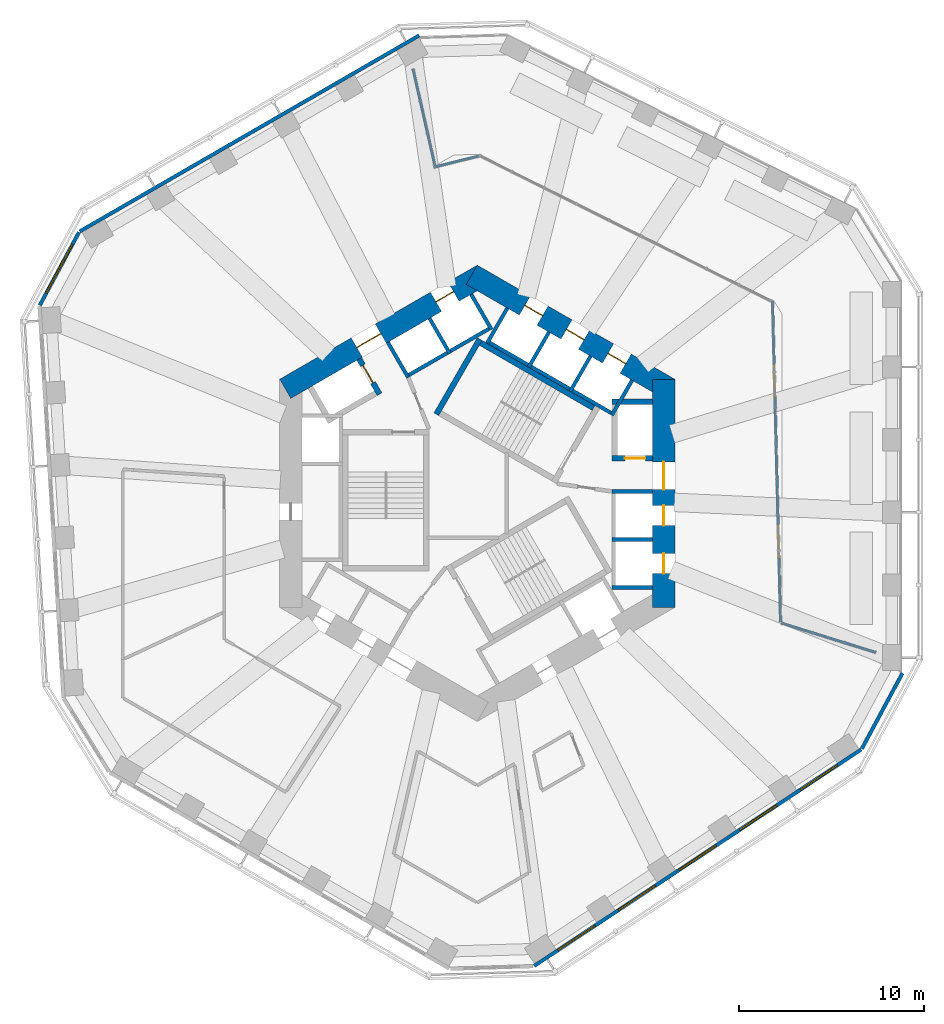
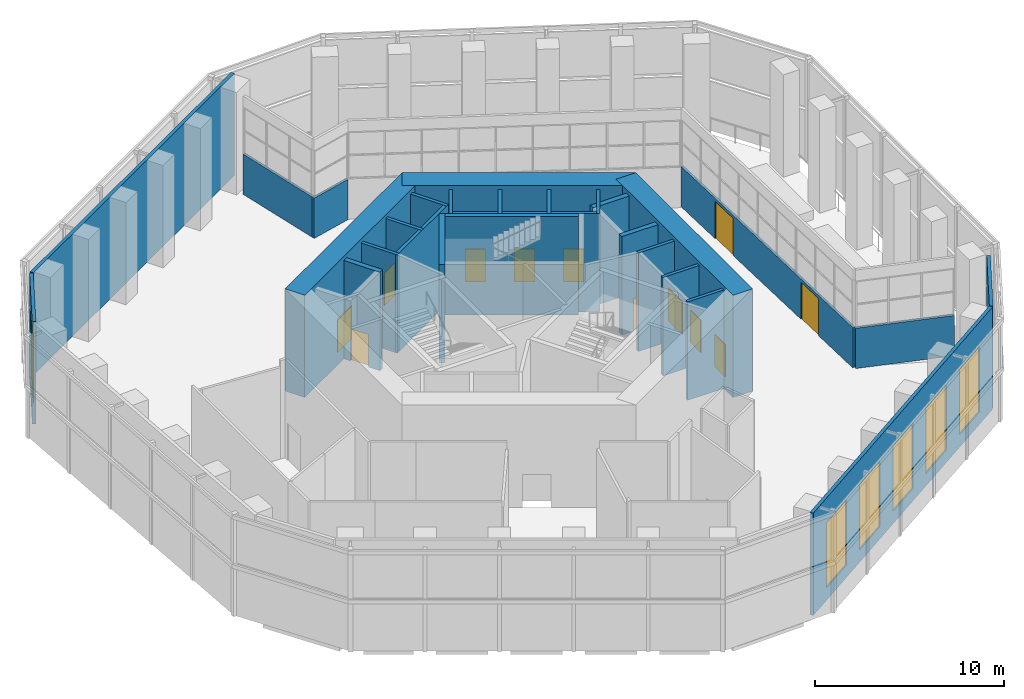
# One storey, part 10 of 17: 28 walls, 12 doors, 6 windows, 18 openings.
"""IFC4 building model written with IfcOpenShell, lengths in metres."""

from ifc_helpers import new_model, si_unit, direction, frame, frame_2d, origin, place, context, subcontext, project, spatial, rectangle, extrude, material, layer, layer_set, type_object, element, fill, save


model = new_model("IFC4")

# Units and contexts
model_context = context("Model", 3, precision=1e-05, world=origin(), true_north=direction((0.0, 1.0)))
body_context = subcontext(model_context, "Body", "Model", "MODEL_VIEW")
ifc_project = project(units=[si_unit("LENGTHUNIT", "METRE"), si_unit("AREAUNIT", "SQUARE_METRE"), si_unit("VOLUMEUNIT", "CUBIC_METRE"), si_unit("PLANEANGLEUNIT", "RADIAN"), si_unit("MASSUNIT", "GRAM", prefix="KILO")], contexts=[model_context])

# Site, building, storey
site_placement = place(None, origin())
site = spatial("IfcSite", under=ifc_project, at=site_placement, CompositionType="ELEMENT")
building_placement = place(site_placement, origin())
building = spatial("IfcBuilding", under=site, at=building_placement, Name="Vanh Sen Convention Tower", CompositionType="ELEMENT")
storey_placement = place(building_placement, frame((0.0, 0.0, 77.0)))
storey = spatial("IfcBuildingStorey", under=building, at=storey_placement, Name="L17", CompositionType="ELEMENT", Elevation=77.0)

# Wall, openings, doors
ifc_material_1 = material(Name="Concrete C80/95", Category="concrete")
ifc_layer_1 = layer(ifc_material_1, 1.199951171875)
ifc_layer_set_1 = layer_set([ifc_layer_1], Name="Concrete C80/95")
wall_type_1 = type_object("IfcWallType", Name="Core outer wall 1200 C80/95", PredefinedType="SHEAR", material=ifc_layer_set_1)
wall_1_placement = place(storey_placement, frame((10.10009765625, -6.177490234375, 0.0), z_axis=(0.0, 0.0, 1.0), x_axis=(0.0, 1.0, 0.0)))
wall_1 = element("IfcWall", 1, at=wall_1_placement, inside=storey, type_object=wall_type_1, Name="Core wall face E L17", PredefinedType="SHEAR", context=body_context, shape_type="SweptSolid", body=[
    extrude(rectangle(XDim=12.35498046875, YDim=1.199951171875, at=frame_2d((6.177490234375, 0.0))), origin(), (0.0, 0.0, 1.0), 6.60009765625),
])
opening_1_placement = place(wall_1_placement, frame((6.377685546875, 0.0, 0.0)))
opening_1 = element("IfcOpeningElement", 2, at=opening_1_placement, cuts=wall_1, Name="Opening D17001", PredefinedType="OPENING", context=body_context, shape_type="SweptSolid", body=[
    extrude(rectangle(XDim=1.5, YDim=2.10009765625, at=frame_2d((0.75, 1.050048828125))), frame((0.0, 0.60986328125, 0.0), z_axis=(0.0, -1.0, 0.0), x_axis=(1.0, 0.0, 0.0)), (0.0, 0.0, 1.0), 1.219970703125),
])
opening_2_placement = place(wall_1_placement, frame((1.82763671875, 0.0, 0.0)))
opening_2 = element("IfcOpeningElement", 3, at=opening_2_placement, cuts=wall_1, Name="Opening LD-LR1", PredefinedType="OPENING", context=body_context, shape_type="SweptSolid", body=[
    extrude(rectangle(XDim=1.10009765625, YDim=2.10009765625, at=frame_2d((0.550048828125, 1.050048828125))), frame((0.0, 0.60986328125, 0.0), z_axis=(0.0, -1.0, 0.0), x_axis=(1.0, 0.0, 0.0)), (0.0, 0.0, 1.0), 1.219970703125),
])
opening_3_placement = place(wall_1_placement, frame((4.427490234375, 0.0, 0.0)))
opening_3 = element("IfcOpeningElement", 4, at=opening_3_placement, cuts=wall_1, Name="Opening LD-LR2", PredefinedType="OPENING", context=body_context, shape_type="SweptSolid", body=[
    extrude(rectangle(XDim=1.10009765625, YDim=2.10009765625, at=frame_2d((0.550048828125, 1.050048828125))), frame((0.0, 0.60986328125, 0.0), z_axis=(0.0, -1.0, 0.0), x_axis=(1.0, 0.0, 0.0)), (0.0, 0.0, 1.0), 1.219970703125),
])
ifc_material_2 = material(Name="Stainless steel", Category="steel")
door_type_1 = type_object("IfcDoorType", Name="Lift landing door 1100", OperationType="DOUBLE_DOOR_SLIDING", PredefinedType="DOOR", material=ifc_material_2)
door_1_placement = place(opening_2_placement, origin())
door_1 = element("IfcDoor", 5, at=door_1_placement, inside=storey, type_object=door_type_1, Name="Lift LR1 landing door LD-LR1", OperationType="DOUBLE_DOOR_SLIDING", OverallHeight=2.10009765625, OverallWidth=1.10009765625, PredefinedType="DOOR", context=body_context, shape_type="SweptSolid", body=[
    extrude(rectangle(XDim=1.10009765625, YDim=2.10009765625, at=frame_2d((0.550048828125, 1.050048828125))), frame((0.0, 0.02490234375, 0.0), z_axis=(0.0, -1.0, 0.0), x_axis=(1.0, 0.0, 0.0)), (0.0, 0.0, 1.0), 0.050048828125),
])
fill(opening_2, door_1)
door_2_placement = place(opening_3_placement, origin())
door_2 = element("IfcDoor", 6, at=door_2_placement, inside=storey, type_object=door_type_1, Name="Lift LR2 landing door LD-LR2", OperationType="DOUBLE_DOOR_SLIDING", OverallHeight=2.10009765625, OverallWidth=1.10009765625, PredefinedType="DOOR", context=body_context, shape_type="SweptSolid", body=[
    extrude(rectangle(XDim=1.10009765625, YDim=2.10009765625, at=frame_2d((0.550048828125, 1.050048828125))), frame((0.0, 0.02490234375, 0.0), z_axis=(0.0, -1.0, 0.0), x_axis=(1.0, 0.0, 0.0)), (0.0, 0.0, 1.0), 0.050048828125),
])
fill(opening_3, door_2)
ifc_material_3 = material(Name="Steel S355", Category="steel")
door_type_2 = type_object("IfcDoorType", Name="Stair lobby door 1500", OperationType="DOUBLE_DOOR_SINGLE_SWING", PredefinedType="DOOR", material=ifc_material_3)
door_3_placement = place(opening_1_placement, origin())
door_3 = element("IfcDoor", 7, at=door_3_placement, inside=storey, type_object=door_type_2, Name="Stair lobby door D17001", OperationType="DOUBLE_DOOR_SINGLE_SWING", OverallHeight=2.10009765625, OverallWidth=1.5, PredefinedType="DOOR", context=body_context, shape_type="SweptSolid", body=[
    extrude(rectangle(XDim=1.5, YDim=2.10009765625, at=frame_2d((0.75, 1.050048828125))), frame((0.0, 0.02490234375, 0.0), z_axis=(0.0, -1.0, 0.0), x_axis=(1.0, 0.0, 0.0)), (0.0, 0.0, 1.0), 0.050048828125),
])
fill(opening_1, door_3)

wall_2_placement = place(storey_placement, frame((10.39990234375, 5.657958984375, 0.0), z_axis=(0.0, 0.0, 1.0), x_axis=(-0.866021384402, 0.500006961711, 0.0)))
wall_2 = element("IfcWall", 8, at=wall_2_placement, inside=storey, type_object=wall_type_1, Name="Core wall face NE L17", PredefinedType="SHEAR", context=body_context, shape_type="SweptSolid", body=[
    extrude(rectangle(XDim=12.355224609375, YDim=1.199951171875, at=frame_2d((6.177734375, 0.0))), origin(), (0.0, 0.0, 1.0), 6.60009765625),
])
opening_4_placement = place(wall_2_placement, frame((2.727783203125, 0.0, 0.0)))
opening_4 = element("IfcOpeningElement", 9, at=opening_4_placement, cuts=wall_2, Name="Opening LD-LR3", PredefinedType="OPENING", context=body_context, shape_type="SweptSolid", body=[
    extrude(rectangle(XDim=1.10009765625, YDim=2.10009765625, at=frame_2d((0.550048828125, 1.050048828125))), frame((0.0, 0.60986328125, 0.0), z_axis=(0.0, -1.0, 0.0), x_axis=(1.0, 0.0, 0.0)), (0.0, 0.0, 1.0), 1.219970703125),
])
opening_5_placement = place(wall_2_placement, frame((5.32763671875, 0.0, 0.0)))
opening_5 = element("IfcOpeningElement", 10, at=opening_5_placement, cuts=wall_2, Name="Opening LD-LR4", PredefinedType="OPENING", context=body_context, shape_type="SweptSolid", body=[
    extrude(rectangle(XDim=1.10009765625, YDim=2.10009765625, at=frame_2d((0.550048828125, 1.050048828125))), frame((0.0, 0.60986328125, 0.0), z_axis=(0.0, -1.0, 0.0), x_axis=(1.0, 0.0, 0.0)), (0.0, 0.0, 1.0), 1.219970703125),
])
opening_6_placement = place(wall_2_placement, frame((7.927734375, 0.0, 0.0)))
opening_6 = element("IfcOpeningElement", 11, at=opening_6_placement, cuts=wall_2, Name="Opening LD-LR5", PredefinedType="OPENING", context=body_context, shape_type="SweptSolid", body=[
    extrude(rectangle(XDim=1.10009765625, YDim=2.10009765625, at=frame_2d((0.550048828125, 1.050048828125))), frame((0.0, 0.60986328125, 0.0), z_axis=(0.0, -1.0, 0.0), x_axis=(1.0, 0.0, 0.0)), (0.0, 0.0, 1.0), 1.219970703125),
])
door_4_placement = place(opening_4_placement, origin())
door_4 = element("IfcDoor", 12, at=door_4_placement, inside=storey, type_object=door_type_1, Name="Lift LR3 landing door LD-LR3", OperationType="DOUBLE_DOOR_SLIDING", OverallHeight=2.10009765625, OverallWidth=1.10009765625, PredefinedType="DOOR", context=body_context, shape_type="SweptSolid", body=[
    extrude(rectangle(XDim=1.10009765625, YDim=2.10009765625, at=frame_2d((0.550048828125, 1.050048828125))), frame((0.0, 0.02490234375, 0.0), z_axis=(0.0, -1.0, 0.0), x_axis=(1.0, 0.0, 0.0)), (0.0, 0.0, 1.0), 0.050048828125),
])
fill(opening_4, door_4)
door_5_placement = place(opening_5_placement, origin())
door_5 = element("IfcDoor", 13, at=door_5_placement, inside=storey, type_object=door_type_1, Name="Lift LR4 landing door LD-LR4", OperationType="DOUBLE_DOOR_SLIDING", OverallHeight=2.10009765625, OverallWidth=1.10009765625, PredefinedType="DOOR", context=body_context, shape_type="SweptSolid", body=[
    extrude(rectangle(XDim=1.10009765625, YDim=2.10009765625, at=frame_2d((0.550048828125, 1.050048828125))), frame((0.0, 0.02490234375, 0.0), z_axis=(0.0, -1.0, 0.0), x_axis=(1.0, 0.0, 0.0)), (0.0, 0.0, 1.0), 0.050048828125),
])
fill(opening_5, door_5)
door_6_placement = place(opening_6_placement, origin())
door_6 = element("IfcDoor", 14, at=door_6_placement, inside=storey, type_object=door_type_1, Name="Lift LR5 landing door LD-LR5", OperationType="DOUBLE_DOOR_SLIDING", OverallHeight=2.10009765625, OverallWidth=1.10009765625, PredefinedType="DOOR", context=body_context, shape_type="SweptSolid", body=[
    extrude(rectangle(XDim=1.10009765625, YDim=2.10009765625, at=frame_2d((0.550048828125, 1.050048828125))), frame((0.0, 0.02490234375, 0.0), z_axis=(0.0, -1.0, 0.0), x_axis=(1.0, 0.0, 0.0)), (0.0, 0.0, 1.0), 0.050048828125),
])
fill(opening_6, door_6)

wall_3_placement = place(storey_placement, frame((0.300048828125, 11.835693359375, 0.0), z_axis=(0.0, 0.0, 1.0), x_axis=(-0.866021384402, -0.500006961711, 0.0)))
wall_3 = element("IfcWall", 15, at=wall_3_placement, inside=storey, type_object=wall_type_1, Name="Core wall face NW L17", PredefinedType="SHEAR", context=body_context, shape_type="SweptSolid", body=[
    extrude(rectangle(XDim=12.355224609375, YDim=1.199951171875, at=frame_2d((6.177734375, 0.0))), origin(), (0.0, 0.0, 1.0), 6.60009765625),
])
opening_7_placement = place(wall_3_placement, frame((6.377685546875, 0.0, 0.0)))
opening_7 = element("IfcOpeningElement", 16, at=opening_7_placement, cuts=wall_3, Name="Opening D17002", PredefinedType="OPENING", context=body_context, shape_type="SweptSolid", body=[
    extrude(rectangle(XDim=1.5, YDim=2.10009765625, at=frame_2d((0.75, 1.050048828125))), frame((0.0, 0.60986328125, 0.0), z_axis=(0.0, -1.0, 0.0), x_axis=(1.0, 0.0, 0.0)), (0.0, 0.0, 1.0), 1.219970703125),
])
opening_8_placement = place(wall_3_placement, frame((1.82763671875, 0.0, 0.0)))
opening_8 = element("IfcOpeningElement", 17, at=opening_8_placement, cuts=wall_3, Name="Opening LD-LR6", PredefinedType="OPENING", context=body_context, shape_type="SweptSolid", body=[
    extrude(rectangle(XDim=1.10009765625, YDim=2.10009765625, at=frame_2d((0.550048828125, 1.050048828125))), frame((0.0, 0.60986328125, 0.0), z_axis=(0.0, -1.0, 0.0), x_axis=(1.0, 0.0, 0.0)), (0.0, 0.0, 1.0), 1.219970703125),
])
door_7_placement = place(opening_8_placement, origin())
door_7 = element("IfcDoor", 18, at=door_7_placement, inside=storey, type_object=door_type_1, Name="Lift LR6 landing door LD-LR6", OperationType="DOUBLE_DOOR_SLIDING", OverallHeight=2.10009765625, OverallWidth=1.10009765625, PredefinedType="DOOR", context=body_context, shape_type="SweptSolid", body=[
    extrude(rectangle(XDim=1.10009765625, YDim=2.10009765625, at=frame_2d((0.550048828125, 1.050048828125))), frame((0.0, 0.02490234375, 0.0), z_axis=(0.0, -1.0, 0.0), x_axis=(1.0, 0.0, 0.0)), (0.0, 0.0, 1.0), 0.050048828125),
])
fill(opening_8, door_7)
door_8_placement = place(opening_7_placement, origin())
door_8 = element("IfcDoor", 19, at=door_8_placement, inside=storey, type_object=door_type_2, Name="Stair lobby door D17002", OperationType="DOUBLE_DOOR_SINGLE_SWING", OverallHeight=2.10009765625, OverallWidth=1.5, PredefinedType="DOOR", context=body_context, shape_type="SweptSolid", body=[
    extrude(rectangle(XDim=1.5, YDim=2.10009765625, at=frame_2d((0.75, 1.050048828125))), frame((0.0, 0.02490234375, 0.0), z_axis=(0.0, -1.0, 0.0), x_axis=(1.0, 0.0, 0.0)), (0.0, 0.0, 1.0), 0.050048828125),
])
fill(opening_7, door_8)

# Wall
ifc_material_4 = material(Name="Insulated lightweight infill wall")
ifc_layer_2 = layer(ifc_material_4, 0.199951171875)
ifc_layer_set_2 = layer_set([ifc_layer_2], Name="Insulated lightweight infill wall")
wall_type_2 = type_object("IfcWallType", Name="External wall 200", PredefinedType="STANDARD", material=ifc_layer_set_2)
wall_4_placement = place(storey_placement, frame((-3.14404296875, 24.800537109375, 0.0), z_axis=(0.0, 0.0, 1.0), x_axis=(-0.866028031259, -0.499995449053, 0.0)))
element("IfcWall", 20, at=wall_4_placement, inside=storey, type_object=wall_type_2, Name="External wall NW-1 L17", PredefinedType="STANDARD", context=body_context, shape_type="SweptSolid", body=[
    extrude(rectangle(XDim=21.237060546875, YDim=0.199951171875, at=frame_2d((10.61865234375, 0.0))), origin(), (0.0, 0.0, 1.0), 6.60009765625),
])

# Wall, opening, window
wall_5_placement = place(storey_placement, frame((-21.573974609375, 14.142822265625, 0.0), z_axis=(0.0, 0.0, 1.0), x_axis=(-0.473292949472, -0.880905093628, 0.0)))
wall_5 = element("IfcWall", 21, at=wall_5_placement, inside=storey, type_object=wall_type_2, Name="External wall CH3 L17", PredefinedType="STANDARD", context=body_context, shape_type="SweptSolid", body=[
    extrude(rectangle(XDim=4.493896484375, YDim=0.199951171875, at=frame_2d((2.2470703125, 0.0))), origin(), (0.0, 0.0, 1.0), 6.60009765625),
])
opening_9_placement = place(wall_5_placement, frame((0.746826171875, 0.0, 0.800048828125)))
opening_9 = element("IfcOpeningElement", 22, at=opening_9_placement, cuts=wall_5, Name="Opening WS1-CH31", PredefinedType="OPENING", context=body_context, shape_type="SweptSolid", body=[
    extrude(rectangle(XDim=3.0, YDim=4.199951171875, at=frame_2d((1.5, 2.10009765625))), frame((0.0, 0.10986328125, 0.0), z_axis=(0.0, -1.0, 0.0), x_axis=(1.0, 0.0, 0.0)), (0.0, 0.0, 1.0), 0.219970703125),
])
ifc_material_5 = material(Name="Aluminium frame with clear low-emissivity glass", Category="aluminium")
window_type_1 = type_object("IfcWindowType", Name="Sky garden window 3000 x 4200", PartitioningType="SINGLE_PANEL", PredefinedType="WINDOW", material=ifc_material_5)
window_1_placement = place(opening_9_placement, origin())
window_1 = element("IfcWindow", 23, at=window_1_placement, inside=storey, type_object=window_type_1, Name="Window WS1-CH31", OverallHeight=4.199951171875, OverallWidth=3.0, PartitioningType="SINGLE_PANEL", PredefinedType="WINDOW", context=body_context, shape_type="SweptSolid", body=[
    extrude(rectangle(XDim=3.0, YDim=4.199951171875, at=frame_2d((1.5, 2.10009765625))), frame((0.0, 0.030029296875, 0.0), z_axis=(0.0, -1.0, 0.0), x_axis=(1.0, 0.0, 0.0)), (0.0, 0.0, 1.0), 0.06005859375),
])
fill(opening_9, window_1)

# Wall, openings, windows
wall_6_placement = place(storey_placement, frame((3.0830078125, -25.60107421875, 0.0), z_axis=(0.0, 0.0, 1.0), x_axis=(0.833884295743, 0.551939291329, 0.0)))
wall_6 = element("IfcWall", 24, at=wall_6_placement, inside=storey, type_object=wall_type_2, Name="External wall SE L17", PredefinedType="STANDARD", context=body_context, shape_type="SweptSolid", body=[
    extrude(rectangle(XDim=21.24609375, YDim=0.199951171875, at=frame_2d((10.623046875, 0.0))), origin(), (0.0, 0.0, 1.0), 6.60009765625),
])
opening_10_placement = place(wall_6_placement, frame((1.552978515625, 0.0, 0.800048828125)))
opening_10 = element("IfcOpeningElement", 25, at=opening_10_placement, cuts=wall_6, Name="Opening WS2-SE1", PredefinedType="OPENING", context=body_context, shape_type="SweptSolid", body=[
    extrude(rectangle(XDim=2.39990234375, YDim=4.199951171875, at=frame_2d((1.199951171875, 2.10009765625))), frame((0.0, 0.10986328125, 0.0), z_axis=(0.0, -1.0, 0.0), x_axis=(1.0, 0.0, 0.0)), (0.0, 0.0, 1.0), 0.219970703125),
])
opening_11_placement = place(wall_6_placement, frame((5.487548828125, 0.0, 0.800048828125)))
opening_11 = element("IfcOpeningElement", 26, at=opening_11_placement, cuts=wall_6, Name="Opening WS2-SE2", PredefinedType="OPENING", context=body_context, shape_type="SweptSolid", body=[
    extrude(rectangle(XDim=2.39990234375, YDim=4.199951171875, at=frame_2d((1.199951171875, 2.10009765625))), frame((0.0, 0.10986328125, 0.0), z_axis=(0.0, -1.0, 0.0), x_axis=(1.0, 0.0, 0.0)), (0.0, 0.0, 1.0), 0.219970703125),
])
opening_12_placement = place(wall_6_placement, frame((9.422119140625, 0.0, 0.800048828125)))
opening_12 = element("IfcOpeningElement", 27, at=opening_12_placement, cuts=wall_6, Name="Opening WS2-SE3", PredefinedType="OPENING", context=body_context, shape_type="SweptSolid", body=[
    extrude(rectangle(XDim=2.39990234375, YDim=4.199951171875, at=frame_2d((1.199951171875, 2.10009765625))), frame((0.0, 0.10986328125, 0.0), z_axis=(0.0, -1.0, 0.0), x_axis=(1.0, 0.0, 0.0)), (0.0, 0.0, 1.0), 0.219970703125),
])
opening_13_placement = place(wall_6_placement, frame((13.356689453125, 0.0, 0.800048828125)))
opening_13 = element("IfcOpeningElement", 28, at=opening_13_placement, cuts=wall_6, Name="Opening WS2-SE4", PredefinedType="OPENING", context=body_context, shape_type="SweptSolid", body=[
    extrude(rectangle(XDim=2.39990234375, YDim=4.199951171875, at=frame_2d((1.199951171875, 2.10009765625))), frame((0.0, 0.10986328125, 0.0), z_axis=(0.0, -1.0, 0.0), x_axis=(1.0, 0.0, 0.0)), (0.0, 0.0, 1.0), 0.219970703125),
])
opening_14_placement = place(wall_6_placement, frame((17.291259765625, 0.0, 0.800048828125)))
opening_14 = element("IfcOpeningElement", 29, at=opening_14_placement, cuts=wall_6, Name="Opening WS2-SE5", PredefinedType="OPENING", context=body_context, shape_type="SweptSolid", body=[
    extrude(rectangle(XDim=2.39990234375, YDim=4.199951171875, at=frame_2d((1.199951171875, 2.10009765625))), frame((0.0, 0.10986328125, 0.0), z_axis=(0.0, -1.0, 0.0), x_axis=(1.0, 0.0, 0.0)), (0.0, 0.0, 1.0), 0.219970703125),
])
window_type_2 = type_object("IfcWindowType", Name="Sky garden window 2400 x 4200", PartitioningType="SINGLE_PANEL", PredefinedType="WINDOW", material=ifc_material_5)
window_2_placement = place(opening_10_placement, origin())
window_2 = element("IfcWindow", 30, at=window_2_placement, inside=storey, type_object=window_type_2, Name="Window WS2-SE1", OverallHeight=4.199951171875, OverallWidth=2.39990234375, PartitioningType="SINGLE_PANEL", PredefinedType="WINDOW", context=body_context, shape_type="SweptSolid", body=[
    extrude(rectangle(XDim=2.39990234375, YDim=4.199951171875, at=frame_2d((1.199951171875, 2.10009765625))), frame((0.0, 0.030029296875, 0.0), z_axis=(0.0, -1.0, 0.0), x_axis=(1.0, 0.0, 0.0)), (0.0, 0.0, 1.0), 0.06005859375),
])
fill(opening_10, window_2)
window_3_placement = place(opening_11_placement, origin())
window_3 = element("IfcWindow", 31, at=window_3_placement, inside=storey, type_object=window_type_2, Name="Window WS2-SE2", OverallHeight=4.199951171875, OverallWidth=2.39990234375, PartitioningType="SINGLE_PANEL", PredefinedType="WINDOW", context=body_context, shape_type="SweptSolid", body=[
    extrude(rectangle(XDim=2.39990234375, YDim=4.199951171875, at=frame_2d((1.199951171875, 2.10009765625))), frame((0.0, 0.030029296875, 0.0), z_axis=(0.0, -1.0, 0.0), x_axis=(1.0, 0.0, 0.0)), (0.0, 0.0, 1.0), 0.06005859375),
])
fill(opening_11, window_3)
window_4_placement = place(opening_12_placement, origin())
window_4 = element("IfcWindow", 32, at=window_4_placement, inside=storey, type_object=window_type_2, Name="Window WS2-SE3", OverallHeight=4.199951171875, OverallWidth=2.39990234375, PartitioningType="SINGLE_PANEL", PredefinedType="WINDOW", context=body_context, shape_type="SweptSolid", body=[
    extrude(rectangle(XDim=2.39990234375, YDim=4.199951171875, at=frame_2d((1.199951171875, 2.10009765625))), frame((0.0, 0.030029296875, 0.0), z_axis=(0.0, -1.0, 0.0), x_axis=(1.0, 0.0, 0.0)), (0.0, 0.0, 1.0), 0.06005859375),
])
fill(opening_12, window_4)
window_5_placement = place(opening_13_placement, origin())
window_5 = element("IfcWindow", 33, at=window_5_placement, inside=storey, type_object=window_type_2, Name="Window WS2-SE4", OverallHeight=4.199951171875, OverallWidth=2.39990234375, PartitioningType="SINGLE_PANEL", PredefinedType="WINDOW", context=body_context, shape_type="SweptSolid", body=[
    extrude(rectangle(XDim=2.39990234375, YDim=4.199951171875, at=frame_2d((1.199951171875, 2.10009765625))), frame((0.0, 0.030029296875, 0.0), z_axis=(0.0, -1.0, 0.0), x_axis=(1.0, 0.0, 0.0)), (0.0, 0.0, 1.0), 0.06005859375),
])
fill(opening_13, window_5)
window_6_placement = place(opening_14_placement, origin())
window_6 = element("IfcWindow", 34, at=window_6_placement, inside=storey, type_object=window_type_2, Name="Window WS2-SE5", OverallHeight=4.199951171875, OverallWidth=2.39990234375, PartitioningType="SINGLE_PANEL", PredefinedType="WINDOW", context=body_context, shape_type="SweptSolid", body=[
    extrude(rectangle(XDim=2.39990234375, YDim=4.199951171875, at=frame_2d((1.199951171875, 2.10009765625))), frame((0.0, 0.030029296875, 0.0), z_axis=(0.0, -1.0, 0.0), x_axis=(1.0, 0.0, 0.0)), (0.0, 0.0, 1.0), 0.06005859375),
])
fill(opening_14, window_6)

# Wall
wall_7_placement = place(storey_placement, frame((20.83251953125, -13.838623046875, 0.0), z_axis=(0.0, 0.0, 1.0), x_axis=(0.473301621413, 0.88090043431, 0.0)))
element("IfcWall", 35, at=wall_7_placement, inside=storey, type_object=wall_type_2, Name="External wall CH6-1 L17", PredefinedType="STANDARD", context=body_context, shape_type="SweptSolid", body=[
    extrude(rectangle(XDim=4.65234375, YDim=0.199951171875, at=frame_2d((2.326171875, 0.0))), origin(), (0.0, 0.0, 1.0), 6.60009765625),
])

# Wall, opening, door
ifc_material_6 = material(Name="Concrete C60/75", Category="concrete")
ifc_layer_3 = layer(ifc_material_6, 0.300048828125)
ifc_layer_set_3 = layer_set([ifc_layer_3], Name="Concrete C60/75")
wall_type_3 = type_object("IfcWallType", Name="Fire-fighting lift shaft wall 300", PredefinedType="SHEAR", material=ifc_layer_set_3)
wall_8_placement = place(storey_placement, frame((7.300048828125, 1.89990234375, 0.0), z_axis=(0.0, 0.0, 1.0), x_axis=(1.0, 0.0, 0.0)))
wall_8 = element("IfcWall", 36, at=wall_8_placement, inside=storey, type_object=wall_type_3, Name="Fire-fighting lift shaft wall L17", PredefinedType="SHEAR", context=body_context, shape_type="SweptSolid", body=[
    extrude(rectangle(XDim=2.199951171875, YDim=0.300048828125, at=frame_2d((1.10009765625, 0.0))), origin(), (0.0, 0.0, 1.0), 6.35009765625),
])
opening_15_placement = place(wall_8_placement, frame((0.699951171875, 0.0, 0.0)))
opening_15 = element("IfcOpeningElement", 37, at=opening_15_placement, cuts=wall_8, Name="Opening LD-FF1", PredefinedType="OPENING", context=body_context, shape_type="SweptSolid", body=[
    extrude(rectangle(XDim=1.10009765625, YDim=2.10009765625, at=frame_2d((0.550048828125, 1.050048828125))), frame((0.0, 0.159912109375, 0.0), z_axis=(0.0, -1.0, 0.0), x_axis=(1.0, 0.0, 0.0)), (0.0, 0.0, 1.0), 0.320068359375),
])
door_type_3 = type_object("IfcDoorType", Name="Fire-fighting lift landing door 1100", OperationType="DOUBLE_DOOR_SLIDING", PredefinedType="DOOR", material=ifc_material_2)
door_9_placement = place(opening_15_placement, origin())
door_9 = element("IfcDoor", 38, at=door_9_placement, inside=storey, type_object=door_type_3, Name="Lift FF1 landing door LD-FF1", OperationType="DOUBLE_DOOR_SLIDING", OverallHeight=2.10009765625, OverallWidth=1.10009765625, PredefinedType="DOOR", context=body_context, shape_type="SweptSolid", body=[
    extrude(rectangle(XDim=1.10009765625, YDim=2.10009765625, at=frame_2d((0.550048828125, 1.050048828125))), frame((0.0, 0.02490234375, 0.0), z_axis=(0.0, -1.0, 0.0), x_axis=(1.0, 0.0, 0.0)), (0.0, 0.0, 1.0), 0.050048828125),
])
fill(opening_15, door_9)

# Wall
wall_9_placement = place(storey_placement, frame((7.300048828125, 4.949951171875, 0.0), z_axis=(0.0, 0.0, 1.0), x_axis=(1.0, 0.0, 0.0)))
element("IfcWall", 39, at=wall_9_placement, inside=storey, type_object=wall_type_3, Name="Fire-fighting lift shaft wall L17", PredefinedType="SHEAR", context=body_context, shape_type="SweptSolid", body=[
    extrude(rectangle(XDim=2.199951171875, YDim=0.300048828125, at=frame_2d((1.10009765625, 0.0))), origin(), (0.0, 0.0, 1.0), 6.35009765625),
])

# Wall, opening, door
wall_10_placement = place(storey_placement, frame((-5.29541015625, 5.3720703125, 0.0), z_axis=(0.0, 0.0, 1.0), x_axis=(-0.500077893725, 0.86598042715, 0.0)))
wall_10 = element("IfcWall", 40, at=wall_10_placement, inside=storey, type_object=wall_type_3, Name="Fire-fighting lift shaft wall L17", PredefinedType="SHEAR", context=body_context, shape_type="SweptSolid", body=[
    extrude(rectangle(XDim=2.199951171875, YDim=0.300048828125, at=frame_2d((1.10009765625, 0.0))), origin(), (0.0, 0.0, 1.0), 6.35009765625),
])
opening_16_placement = place(wall_10_placement, frame((0.699951171875, 0.0, 0.0)))
opening_16 = element("IfcOpeningElement", 41, at=opening_16_placement, cuts=wall_10, Name="Opening LD-FF2", PredefinedType="OPENING", context=body_context, shape_type="SweptSolid", body=[
    extrude(rectangle(XDim=1.10009765625, YDim=2.10009765625, at=frame_2d((0.550048828125, 1.050048828125))), frame((0.0, 0.159912109375, 0.0), z_axis=(0.0, -1.0, 0.0), x_axis=(1.0, 0.0, 0.0)), (0.0, 0.0, 1.0), 0.320068359375),
])
door_10_placement = place(opening_16_placement, origin())
door_10 = element("IfcDoor", 42, at=door_10_placement, inside=storey, type_object=door_type_3, Name="Lift FF2 landing door LD-FF2", OperationType="DOUBLE_DOOR_SLIDING", OverallHeight=2.10009765625, OverallWidth=1.10009765625, PredefinedType="DOOR", context=body_context, shape_type="SweptSolid", body=[
    extrude(rectangle(XDim=1.10009765625, YDim=2.10009765625, at=frame_2d((0.550048828125, 1.050048828125))), frame((0.0, 0.02490234375, 0.0), z_axis=(0.0, -1.0, 0.0), x_axis=(1.0, 0.0, 0.0)), (0.0, 0.0, 1.0), 0.050048828125),
])
fill(opening_16, door_10)

# Walls
ifc_material_7 = material(Name="Concrete C40/50", Category="concrete")
ifc_layer_4 = layer(ifc_material_7, 0.199951171875)
ifc_layer_set_4 = layer_set([ifc_layer_4], Name="Concrete C40/50")
wall_type_4 = type_object("IfcWallType", Name="Lift shaft wall 200", PredefinedType="PARTITIONING", material=ifc_layer_set_4)
for number, where, z_axis, x_axis, name in (
    (43, (7.300048828125, -5.10009765625, 0.0), (0.0, 0.0, 1.0), (1.0, 0.0, 0.0), "Lift shaft wall L17"),
    (44, (7.300048828125, -2.5, 0.0), (0.0, 0.0, 1.0), (1.0, 0.0, 0.0), "Lift shaft wall L17"),
    (45, (7.300048828125, 0.10009765625, 0.0), (0.0, 0.0, 1.0), (1.0, 0.0, 0.0), "Lift shaft wall L17"),
):
    element("IfcWall", number, at=place(storey_placement, frame(where, z_axis=z_axis, x_axis=x_axis)), inside=storey, type_object=wall_type_4, Name=name, PredefinedType="PARTITIONING", context=body_context, shape_type="SweptSolid", body=[
        extrude(rectangle(XDim=2.199951171875, YDim=0.199951171875, at=frame_2d((1.10009765625, 0.0))), origin(), (0.0, 0.0, 1.0), 6.35009765625),
    ])
wall_11_placement = place(storey_placement, frame((7.423828125, 4.258544921875, 0.0), z_axis=(0.0, 0.0, 1.0), x_axis=(-0.866026010844, 0.49999894854, 0.0)))
element("IfcWall", 46, at=wall_11_placement, inside=storey, type_object=wall_type_4, Name="Lift shaft wall L17", PredefinedType="PARTITIONING", context=body_context, shape_type="SweptSolid", body=[
    extrude(rectangle(XDim=8.0, YDim=0.199951171875, at=frame_2d((4.0, 0.0))), origin(), (0.0, 0.0, 1.0), 6.35009765625),
])
for number, where, z_axis, x_axis, name in (
    (47, (7.287353515625, 4.221923828125, 0.0), (0.0, 0.0, 1.0), (0.499946605688, 0.86605622881, 0.0), "Lift shaft wall L17"),
    (48, (5.03564453125, 5.52197265625, 0.0), (0.0, 0.0, 1.0), (0.499946605688, 0.86605622881, 0.0), "Lift shaft wall L17"),
    (49, (2.783935546875, 6.822021484375, 0.0), (0.0, 0.0, 1.0), (0.50002983664, 0.866008176907, 0.0), "Lift shaft wall L17"),
    (50, (0.5322265625, 8.1220703125, 0.0), (0.0, 0.0, 1.0), (0.500077893725, 0.86598042715, 0.0), "Lift shaft wall L17"),
):
    element("IfcWall", number, at=place(storey_placement, frame(where, z_axis=z_axis, x_axis=x_axis)), inside=storey, type_object=wall_type_4, Name=name, PredefinedType="PARTITIONING", context=body_context, shape_type="SweptSolid", body=[
        extrude(rectangle(XDim=2.199951171875, YDim=0.199951171875, at=frame_2d((1.10009765625, 0.0))), origin(), (0.0, 0.0, 1.0), 6.35009765625),
    ])
wall_12_placement = place(storey_placement, frame((0.80322265625, 9.008544921875, 0.0), z_axis=(0.0, 0.0, 1.0), x_axis=(-0.866028230842, -0.499995103361, 0.0)))
element("IfcWall", 51, at=wall_12_placement, inside=storey, type_object=wall_type_4, Name="Lift shaft wall L17", PredefinedType="PARTITIONING", context=body_context, shape_type="SweptSolid", body=[
    extrude(rectangle(XDim=5.39990234375, YDim=0.199951171875, at=frame_2d((2.699951171875, 0.0))), origin(), (0.0, 0.0, 1.0), 6.35009765625),
])
wall_13_placement = place(storey_placement, frame((0.7666015625, 8.8720703125, 0.0), z_axis=(0.0, 0.0, 1.0), x_axis=(-0.499994660107, 0.866028486751, 0.0)))
element("IfcWall", 52, at=wall_13_placement, inside=storey, type_object=wall_type_4, Name="Lift shaft wall L17", PredefinedType="PARTITIONING", context=body_context, shape_type="SweptSolid", body=[
    extrude(rectangle(XDim=2.19970703125, YDim=0.199951171875, at=frame_2d((1.099853515625, 0.0))), origin(), (0.0, 0.0, 1.0), 6.35009765625),
])
for number, where, z_axis, x_axis, name in (
    (53, (-1.48486328125, 7.572021484375, 0.0), (0.0, 0.0, 1.0), (-0.50002983664, 0.866008176907, 0.0), "Lift shaft wall L17"),
    (54, (-3.736572265625, 6.27197265625, 0.0), (0.0, 0.0, 1.0), (-0.50002983664, 0.866008176907, 0.0), "Lift shaft wall L17"),
):
    element("IfcWall", number, at=place(storey_placement, frame(where, z_axis=z_axis, x_axis=x_axis)), inside=storey, type_object=wall_type_4, Name=name, PredefinedType="PARTITIONING", context=body_context, shape_type="SweptSolid", body=[
        extrude(rectangle(XDim=2.199951171875, YDim=0.199951171875, at=frame_2d((1.10009765625, 0.0))), origin(), (0.0, 0.0, 1.0), 6.35009765625),
    ])
ifc_layer_5 = layer(ifc_material_6, 0.300048828125)
ifc_layer_set_5 = layer_set([ifc_layer_5], Name="Concrete C60/75")
wall_type_5 = type_object("IfcWallType", Name="Stair wall 300", PredefinedType="SHEAR", material=ifc_layer_set_5)
wall_14_placement = place(storey_placement, frame((-2.216064453125, 4.28173828125, 0.0), z_axis=(0.0, 0.0, 1.0), x_axis=(0.499977259774, 0.866038532462, 0.0)))
element("IfcWall", 55, at=wall_14_placement, inside=storey, type_object=wall_type_5, Name="Stair wall L17", PredefinedType="SHEAR", context=body_context, shape_type="SweptSolid", body=[
    extrude(rectangle(XDim=4.699951171875, YDim=0.300048828125, at=frame_2d((2.35009765625, 0.0))), origin(), (0.0, 0.0, 1.0), 6.35009765625),
])
wall_15_placement = place(storey_placement, frame((6.302978515625, 4.6171875, 0.0), z_axis=(0.0, 0.0, 1.0), x_axis=(-0.866027801685, 0.499995846692, 0.0)))
element("IfcWall", 56, at=wall_15_placement, inside=storey, type_object=wall_type_5, Name="Stair wall L17", PredefinedType="SHEAR", context=body_context, shape_type="SweptSolid", body=[
    extrude(rectangle(XDim=7.06005859375, YDim=0.300048828125, at=frame_2d((3.530029296875, 0.0))), origin(), (0.0, 0.0, 1.0), 6.35009765625),
])
ifc_material_8 = material(Name="Aluminium-framed structural glazing with clear glass", Category="aluminium")
ifc_layer_6 = layer(ifc_material_8, 0.14990234375)
ifc_layer_set_6 = layer_set([ifc_layer_6], Name="Aluminium-framed structural glazing with clear glass")
wall_type_6 = type_object("IfcWallType", Name="Winter garden glazed wall 150", PredefinedType="STANDARD", material=ifc_layer_set_6)
wall_16_placement = place(storey_placement, frame((-3.480712890625, 22.989501953125, 0.0), z_axis=(0.0, 0.0, 1.0), x_axis=(0.220457909633, -0.975396488655, 0.0)))
element("IfcWall", 57, at=wall_16_placement, inside=storey, type_object=wall_type_6, Name="Winter garden wall 1 L17", PredefinedType="STANDARD", context=body_context, shape_type="SweptSolid", body=[
    extrude(rectangle(XDim=5.362060546875, YDim=0.14990234375, at=frame_2d((2.68115234375, 0.0))), origin(), (0.0, 0.0, 1.0), 2.60009765625),
])
wall_17_placement = place(storey_placement, frame((-2.351318359375, 17.6591796875, 0.0), z_axis=(0.0, 0.0, 1.0), x_axis=(0.969814051176, 0.243845660495, 0.0)))
element("IfcWall", 58, at=wall_17_placement, inside=storey, type_object=wall_type_6, Name="Winter garden wall 2 L17", PredefinedType="STANDARD", context=body_context, shape_type="SweptSolid", body=[
    extrude(rectangle(XDim=2.4990234375, YDim=0.14990234375, at=frame_2d((1.24951171875, 0.0))), origin(), (0.0, 0.0, 1.0), 2.60009765625),
])

# Wall, openings, doors
wall_18_placement = place(storey_placement, frame((15.99072265625, 10.425048828125, 0.0), z_axis=(0.0, 0.0, 1.0), x_axis=(0.024967645853, -0.999688259739, 0.0)))
wall_18 = element("IfcWall", 59, at=wall_18_placement, inside=storey, type_object=wall_type_6, Name="Winter garden wall 4 L17", PredefinedType="STANDARD", context=body_context, shape_type="SweptSolid", body=[
    extrude(rectangle(XDim=17.3955078125, YDim=0.14990234375, at=frame_2d((8.69775390625, 0.0))), origin(), (0.0, 0.0, 1.0), 2.60009765625),
])
opening_17_placement = place(wall_18_placement, frame((3.448974609375, 0.0, 0.0)))
opening_17 = element("IfcOpeningElement", 60, at=opening_17_placement, cuts=wall_18, Name="Opening TD173", PredefinedType="OPENING", context=body_context, shape_type="SweptSolid", body=[
    extrude(rectangle(XDim=1.800048828125, YDim=2.39990234375, at=frame_2d((0.89990234375, 1.199951171875))), frame((0.0, 0.0849609375, 0.0), z_axis=(0.0, -1.0, 0.0), x_axis=(1.0, 0.0, 0.0)), (0.0, 0.0, 1.0), 0.169921875),
])
opening_18_placement = place(wall_18_placement, frame((12.146728515625, 0.0, 0.0)))
opening_18 = element("IfcOpeningElement", 61, at=opening_18_placement, cuts=wall_18, Name="Opening TD174", PredefinedType="OPENING", context=body_context, shape_type="SweptSolid", body=[
    extrude(rectangle(XDim=1.800048828125, YDim=2.39990234375, at=frame_2d((0.89990234375, 1.199951171875))), frame((0.0, 0.0849609375, 0.0), z_axis=(0.0, -1.0, 0.0), x_axis=(1.0, 0.0, 0.0)), (0.0, 0.0, 1.0), 0.169921875),
])
ifc_material_9 = material(Name="Aluminium frame with clear toughened glass", Category="aluminium")
door_type_4 = type_object("IfcDoorType", Name="Garden terrace door 1800 x 2400", OperationType="DOUBLE_DOOR_DOUBLE_SWING", PredefinedType="DOOR", material=ifc_material_9)
door_11_placement = place(opening_17_placement, origin())
door_11 = element("IfcDoor", 62, at=door_11_placement, inside=storey, type_object=door_type_4, Name="Garden terrace door TD173", OperationType="DOUBLE_DOOR_DOUBLE_SWING", OverallHeight=2.39990234375, OverallWidth=1.800048828125, PredefinedType="DOOR", context=body_context, shape_type="SweptSolid", body=[
    extrude(rectangle(XDim=1.800048828125, YDim=2.39990234375, at=frame_2d((0.89990234375, 1.199951171875))), frame((0.0, 0.02490234375, 0.0), z_axis=(0.0, -1.0, 0.0), x_axis=(1.0, 0.0, 0.0)), (0.0, 0.0, 1.0), 0.050048828125),
])
fill(opening_17, door_11)
door_12_placement = place(opening_18_placement, origin())
door_12 = element("IfcDoor", 63, at=door_12_placement, inside=storey, type_object=door_type_4, Name="Garden terrace door TD174", OperationType="DOUBLE_DOOR_DOUBLE_SWING", OverallHeight=2.39990234375, OverallWidth=1.800048828125, PredefinedType="DOOR", context=body_context, shape_type="SweptSolid", body=[
    extrude(rectangle(XDim=1.800048828125, YDim=2.39990234375, at=frame_2d((0.89990234375, 1.199951171875))), frame((0.0, 0.02490234375, 0.0), z_axis=(0.0, -1.0, 0.0), x_axis=(1.0, 0.0, 0.0)), (0.0, 0.0, 1.0), 0.050048828125),
])
fill(opening_18, door_12)

# Wall
wall_19_placement = place(storey_placement, frame((16.470947265625, -7.027099609375, 0.0), z_axis=(0.0, 0.0, 1.0), x_axis=(0.954937386514, -0.296807324434, 0.0)))
element("IfcWall", 64, at=wall_19_placement, inside=storey, type_object=wall_type_6, Name="Winter garden wall 5 L17", PredefinedType="STANDARD", context=body_context, shape_type="SweptSolid", body=[
    extrude(rectangle(XDim=5.3623046875, YDim=0.14990234375, at=frame_2d((2.68115234375, 0.0))), origin(), (0.0, 0.0, 1.0), 2.60009765625),
])

save(model, "model.ifc")
